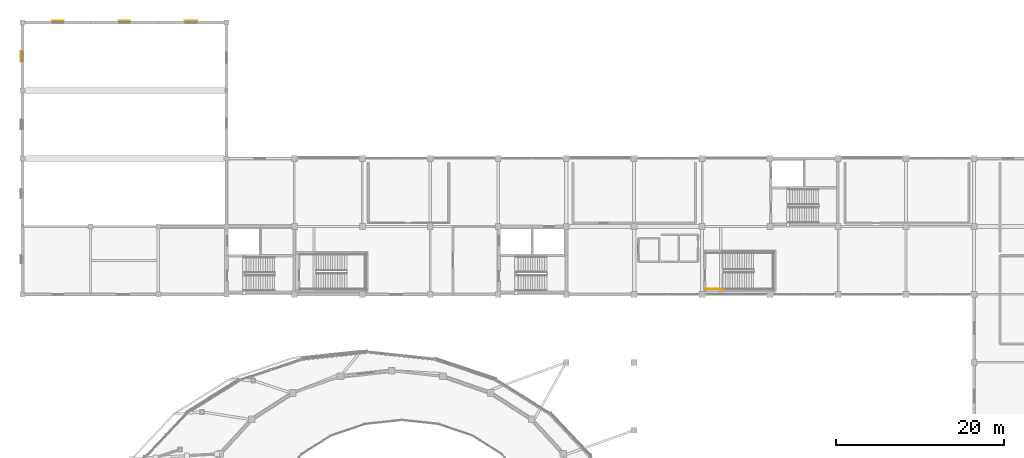
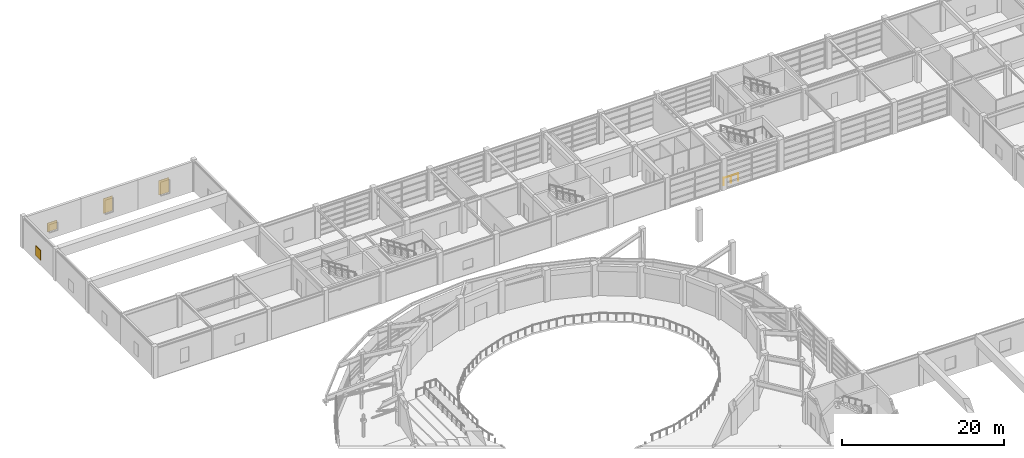
# One storey, part 56 of 58: 4 shading devices, 1 railing.
"""IFC4 building model written with IfcOpenShell, lengths in metres."""

from ifc_helpers import new_model, si_unit, direction, frame, origin, origin_2d, place, context, subcontext, project, spatial, rectangle, circle, extrude, material, layer, layer_set, type_object, element, save


model = new_model("IFC4")

# Units and contexts
model_context = context("Model", 3, precision=1e-05, world=origin(), true_north=direction((0.0, 1.0)))
body_context = subcontext(model_context, "Body", "Model", "MODEL_VIEW")
ifc_project = project(units=[si_unit("LENGTHUNIT", "METRE"), si_unit("AREAUNIT", "SQUARE_METRE"), si_unit("VOLUMEUNIT", "CUBIC_METRE"), si_unit("PLANEANGLEUNIT", "RADIAN"), si_unit("MASSUNIT", "GRAM", prefix="KILO")], contexts=[model_context])

# Site, building, storey
site_placement = place(None, origin())
site = spatial("IfcSite", under=ifc_project, at=site_placement, CompositionType="ELEMENT")
building_placement = place(site_placement, origin())
building = spatial("IfcBuilding", under=site, at=building_placement, Name="Parian Resonance Hall", CompositionType="ELEMENT")
storey_placement = place(building_placement, frame((0.0, 0.0, 10.199951171875)))
storey = spatial("IfcBuildingStorey", under=building, at=storey_placement, Name="L02", CompositionType="ELEMENT", Elevation=10.199951171875)

# Railing
ifc_material_1 = material(Name="Patinated bronze whiplash metalwork")
railing_type = type_object("IfcRailingType", Name="RAIL-HALL-BAL-1120", PredefinedType="BALUSTRADE", material=ifc_material_1)
railing_placement = place(storey_placement, frame((81.449951171875, 73.550048828125, 0.0)))
element("IfcRailing", 1, at=railing_placement, inside=storey, type_object=railing_type, Name="L02 ST-08 stair guard 8", PredefinedType="BALUSTRADE", context=body_context, shape_type="SweptSolid", body=[
    extrude(circle(Radius=0.02392578125, at=origin_2d()), frame((0.0, 0.0, 1.076171875), z_axis=(1.0, 0.0, 0.0), x_axis=(0.0, 1.0, 0.0)), (0.0, 0.0, 1.0), 2.06005859375),
    extrude(circle(Radius=0.02099609375, at=origin_2d()), origin(), (0.0, 0.0, 1.0), 1.052001953125),
    extrude(circle(Radius=0.02099609375, at=origin_2d()), frame((1.030029296875, 0.0, 0.0)), (0.0, 0.0, 1.0), 1.052001953125),
    extrude(circle(Radius=0.02099609375, at=origin_2d()), frame((2.06005859375, 0.0, 0.0)), (0.0, 0.0, 1.0), 1.052001953125),
])

# Shading devices
ifc_material_2 = material(Name="Patinated bronze persiana louver")
ifc_layer = layer(ifc_material_2, 0.06005859375)
ifc_layer_set = layer_set([ifc_layer], Name="Patinated bronze persiana louver")
shading_device_type = type_object("IfcShadingDeviceType", Name="SHD-PERSIANA-SHT", PredefinedType="SHUTTER", material=ifc_layer_set)
shading_device_1_placement = place(storey_placement, frame((-0.2080078125, 101.25, 0.860107421875), z_axis=(0.0, 0.0, 1.0), x_axis=(0.0, 1.0, 0.0)))
element("IfcShadingDevice", 2, at=shading_device_1_placement, inside=storey, type_object=shading_device_type, Name="Bronze operable persiana shutter L02-015", PredefinedType="SHUTTER", context=body_context, shape_type="SweptSolid", body=[
    extrude(rectangle(XDim=1.27001953125, YDim=0.06005859375, at=origin_2d()), origin(), (0.0, 0.0, 1.0), 1.47998046875),
])
shading_device_2_placement = place(storey_placement, frame((4.199951171875, 105.508056640625, 0.860107421875), z_axis=(0.0, 0.0, 1.0), x_axis=(1.0, 0.0, 0.0)))
element("IfcShadingDevice", 3, at=shading_device_2_placement, inside=storey, type_object=shading_device_type, Name="Bronze operable persiana shutter L02-016", PredefinedType="SHUTTER", context=body_context, shape_type="SweptSolid", body=[
    extrude(rectangle(XDim=1.3701171875, YDim=0.06005859375, at=origin_2d()), origin(), (0.0, 0.0, 1.0), 1.330078125),
])
shading_device_3_placement = place(storey_placement, frame((12.14990234375, 105.508056640625, 0.860107421875), z_axis=(0.0, 0.0, 1.0), x_axis=(1.0, 0.0, 0.0)))
element("IfcShadingDevice", 4, at=shading_device_3_placement, inside=storey, type_object=shading_device_type, Name="Bronze operable persiana shutter L02-017", PredefinedType="SHUTTER", context=body_context, shape_type="SweptSolid", body=[
    extrude(rectangle(XDim=1.3701171875, YDim=0.06005859375, at=origin_2d()), origin(), (0.0, 0.0, 1.0), 2.22998046875),
])
shading_device_4_placement = place(storey_placement, frame((20.10009765625, 105.508056640625, 0.85986328125), z_axis=(0.0, 0.0, 1.0), x_axis=(1.0, 0.0, 0.0)))
element("IfcShadingDevice", 5, at=shading_device_4_placement, inside=storey, type_object=shading_device_type, Name="Bronze operable persiana shutter L02-018", PredefinedType="SHUTTER", context=body_context, shape_type="SweptSolid", body=[
    extrude(rectangle(XDim=1.469970703125, YDim=0.06005859375, at=origin_2d()), origin(), (0.0, 0.0, 1.0), 2.179931640625),
])

save(model, "model.ifc")
